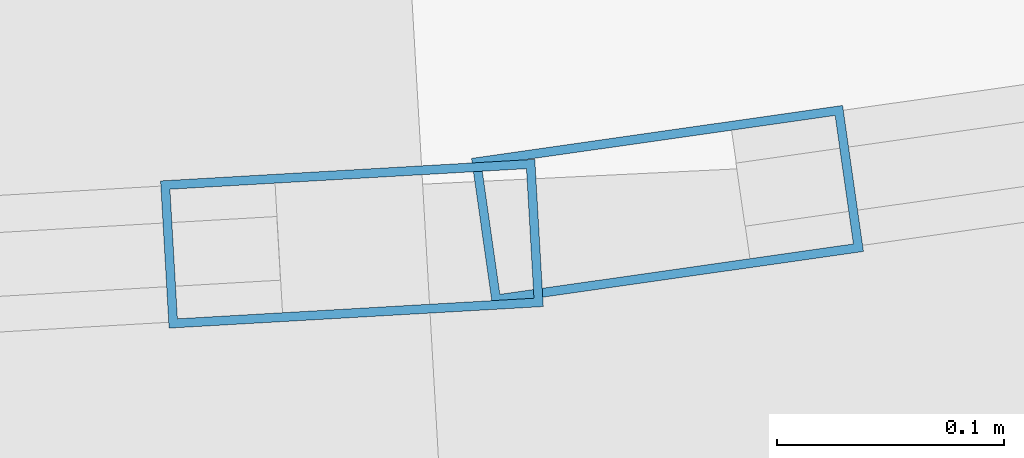
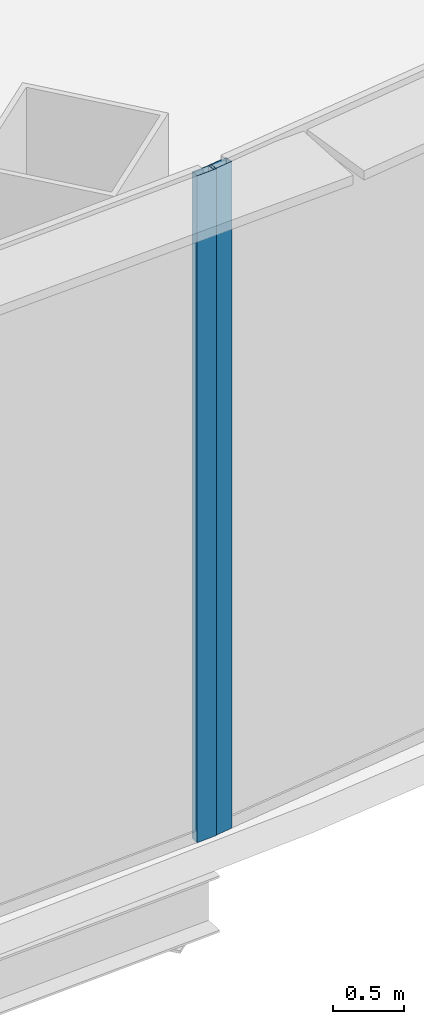
# One storey, part 12 of 41: 2 members, 2 elements without a shape of their own.
"""IFC4 building model written with IfcOpenShell, lengths in metres."""

from ifc_helpers import new_model, si_unit, direction, frame, origin, origin_2d, place, context, subcontext, project, spatial, hollow_rectangle, extrude, source, transform, mapped, material, layer, layer_set, material_profile, profile_set, type_object, element, aggregate, save


model = new_model("IFC4")

# Units and contexts
model_context = context("Model", 3, precision=1e-05, world=origin(), true_north=direction((0.0, 1.0)))
body_context = subcontext(model_context, "Body", "Model", "MODEL_VIEW")
ifc_project = project(units=[si_unit("LENGTHUNIT", "METRE"), si_unit("AREAUNIT", "SQUARE_METRE"), si_unit("VOLUMEUNIT", "CUBIC_METRE"), si_unit("PLANEANGLEUNIT", "RADIAN"), si_unit("MASSUNIT", "GRAM", prefix="KILO"), si_unit("THERMODYNAMICTEMPERATUREUNIT", "KELVIN"), si_unit("POWERUNIT", "WATT")], contexts=[model_context])

# Site, building, storey
site_placement = place(None, origin())
site = spatial("IfcSite", under=ifc_project, at=site_placement, CompositionType="ELEMENT")
building_placement = place(site_placement, origin())
building = spatial("IfcBuilding", under=site, at=building_placement, Name="Yunzhuo Pagoda Commons", CompositionType="ELEMENT")
storey_placement = place(building_placement, frame((0.0, 0.0, 70.330078125)))
storey = spatial("IfcBuildingStorey", under=building, at=storey_placement, Name="L18", CompositionType="ELEMENT", Elevation=70.330078125)

# Curtain wall, member
ifc_material = material(Name="Anodized aluminium 6063-T6", Category="aluminium")
ifc_layer = layer(ifc_material, 0.1650390625)
ifc_layer_set = layer_set([ifc_layer], Name="Anodized aluminium 6063-T6")
curtain_wall_type = type_object("IfcCurtainWallType", Name="CW-LOW Low-Zone Ribbon Curtain Wall", PredefinedType="NOTDEFINED", material=ifc_layer_set)
curtain_wall_1_placement = place(storey_placement, origin())
curtain_wall_1 = element("IfcCurtainWall", 1, at=curtain_wall_1_placement, inside=storey, type_object=curtain_wall_type, Name="L18 curtain wall CW-L18-F1B4", PredefinedType="NOTDEFINED")
ifc_material_profile = material_profile(ifc_material, hollow_rectangle(XDim=0.06494140625, YDim=0.1650390625, WallThickness=0.00390625, at=origin_2d()), Name="Anodized aluminium 6063-T6")
ifc_profile_set = profile_set([ifc_material_profile], Name="Anodized aluminium 6063-T6")
member_type = type_object("IfcMemberType", Name="CW-LOW-M Mullion RHS 165x65x4", PredefinedType="MULLION", material=ifc_profile_set)
shared_shape = source(origin(), body_context, "Body", "SweptSolid", [
    extrude(hollow_rectangle(XDim=0.06494140625, YDim=0.1650390625, WallThickness=0.00390625, at=origin_2d()), origin(), (0.0, 0.0, 1.0), 5.77001953125),
])
member_1_placement = place(storey_placement, frame((66.142333984375, 12.0380859375, 0.0), z_axis=(0.0, 0.0, 1.0), x_axis=(-0.057542190557, 0.998343075454, 0.0)))
member_1 = element("IfcMember", 2, at=member_1_placement, type_object=member_type, Name="CW mullion 2", PredefinedType="MULLION", context=body_context, shape_type="MappedRepresentation", body=[
    mapped(shared_shape, transform((0.0, 0.0, 0.0), scale=1.0)),
])
aggregate(curtain_wall_1, [member_1])

curtain_wall_2_placement = place(storey_placement, origin())
curtain_wall_2 = element("IfcCurtainWall", 3, at=curtain_wall_2_placement, inside=storey, type_object=curtain_wall_type, Name="L18 curtain wall CW-L18-F1B5", PredefinedType="NOTDEFINED")
member_2_placement = place(storey_placement, frame((66.28125, 12.05517578125, 0.0), z_axis=(0.0, 0.0, 1.0), x_axis=(-0.141139872999, 0.989989664719, 0.0)))
member_2 = element("IfcMember", 4, at=member_2_placement, type_object=member_type, Name="CW mullion 1", PredefinedType="MULLION", context=body_context, shape_type="MappedRepresentation", body=[
    mapped(shared_shape, transform((0.0, 0.0, 0.0), scale=1.0)),
])
aggregate(curtain_wall_2, [member_2])

save(model, "model.ifc")
